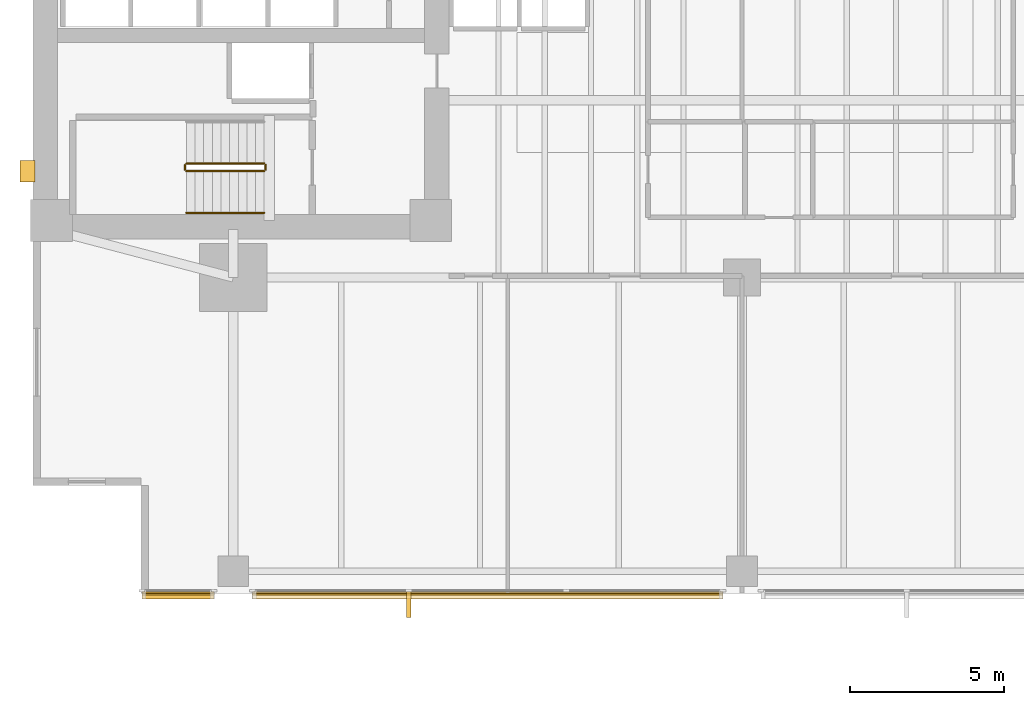
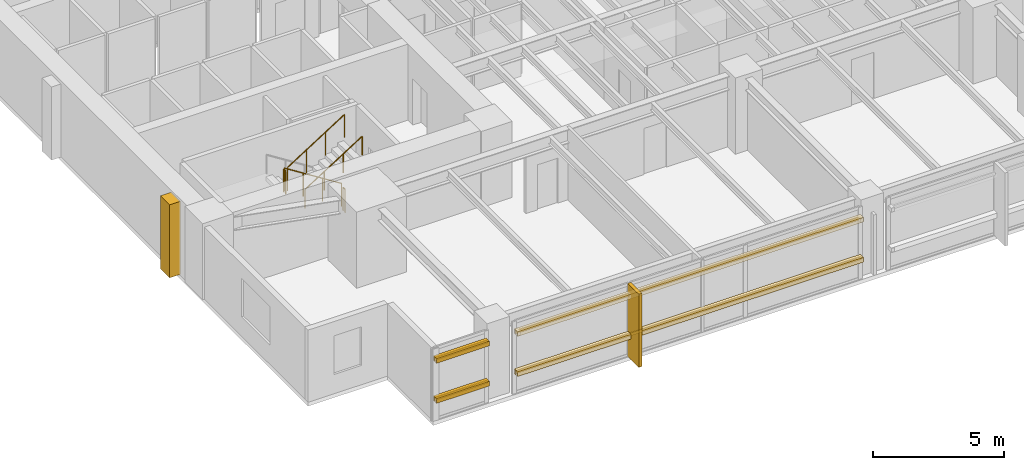
# One storey, part 12 of 15: 6 coverings, 5 railings, 4 shading devices.
"""IFC4 building model written with IfcOpenShell, lengths in metres."""

from ifc_helpers import new_model, si_unit, direction, frame, origin, origin_2d, place, context, subcontext, project, spatial, polyline, rectangle, circle, outline, extrude, material, layer, layer_set, material_profile, profile_set, type_object, element, save


model = new_model("IFC4")

# Units and contexts
model_context = context("Model", 3, precision=1e-05, world=origin(), true_north=direction((0.0, 1.0)))
body_context = subcontext(model_context, "Body", "Model", "MODEL_VIEW")
ifc_project = project(units=[si_unit("LENGTHUNIT", "METRE"), si_unit("AREAUNIT", "SQUARE_METRE"), si_unit("VOLUMEUNIT", "CUBIC_METRE"), si_unit("PLANEANGLEUNIT", "RADIAN"), si_unit("MASSUNIT", "GRAM", prefix="KILO")], contexts=[model_context])

# Site, building, storey
site_placement = place(None, origin())
site = spatial("IfcSite", under=ifc_project, at=site_placement, CompositionType="ELEMENT")
building_placement = place(site_placement, origin())
building = spatial("IfcBuilding", under=site, at=building_placement, Name="Kinhvarn Gate Tower", CompositionType="ELEMENT")
storey_placement = place(building_placement, frame((0.0, 0.0, 32.699951171875)))
storey = spatial("IfcBuildingStorey", under=building, at=storey_placement, Name="L07", CompositionType="ELEMENT", Elevation=32.699951171875)

# Coverings
ifc_material_1 = material(Name="Fired architectural terracotta", Category="masonry")
ifc_layer_1 = layer(ifc_material_1, 0.239990234375)
ifc_layer_set_1 = layer_set([ifc_layer_1], Name="Fired architectural terracotta")
covering_type_1 = type_object("IfcCoveringType", Name="COV-BAG-220", PredefinedType="CLADDING", material=ifc_layer_set_1)
covering_1_placement = place(storey_placement, frame((0.0, 0.0, 0.93994140625)))
element("IfcCovering", 1, at=covering_1_placement, inside=storey, type_object=covering_type_1, Name="Terracotta Horizontal Sunscreen Band TBG-220 (L07)", PredefinedType="CLADDING", context=body_context, shape_type="SweptSolid", body=[
    extrude(outline(polyline([(8.0400390625, 2.56005859375), (10.3798828125, 2.56005859375), (10.3798828125, 2.320068359375), (8.0400390625, 2.320068359375), (8.0400390625, 2.56005859375)])), origin(), (0.0, 0.0, 1.0), 0.22021484375),
])
covering_2_placement = place(storey_placement, frame((0.0, 0.0, 2.81005859375)))
element("IfcCovering", 2, at=covering_2_placement, inside=storey, type_object=covering_type_1, Name="Terracotta Horizontal Sunscreen Band TBG-220 (L07)", PredefinedType="CLADDING", context=body_context, shape_type="SweptSolid", body=[
    extrude(outline(polyline([(8.0400390625, 2.56005859375), (10.3798828125, 2.56005859375), (10.3798828125, 2.320068359375), (8.0400390625, 2.320068359375), (8.0400390625, 2.56005859375)])), origin(), (0.0, 0.0, 1.0), 0.219970703125),
])
covering_3_placement = place(storey_placement, frame((0.0, 0.0, 0.93994140625)))
element("IfcCovering", 3, at=covering_3_placement, inside=storey, type_object=covering_type_1, Name="Terracotta Horizontal Sunscreen Band TBG-220 (L07)", PredefinedType="CLADDING", context=body_context, shape_type="SweptSolid", body=[
    extrude(outline(polyline([(11.6201171875, 2.56005859375), (26.8798828125, 2.56005859375), (26.8798828125, 2.320068359375), (11.6201171875, 2.320068359375), (11.6201171875, 2.56005859375)])), origin(), (0.0, 0.0, 1.0), 0.22021484375),
])
covering_4_placement = place(storey_placement, frame((0.0, 0.0, 2.81005859375)))
element("IfcCovering", 4, at=covering_4_placement, inside=storey, type_object=covering_type_1, Name="Terracotta Horizontal Sunscreen Band TBG-220 (L07)", PredefinedType="CLADDING", context=body_context, shape_type="SweptSolid", body=[
    extrude(outline(polyline([(11.6201171875, 2.56005859375), (26.8798828125, 2.56005859375), (26.8798828125, 2.320068359375), (11.6201171875, 2.320068359375), (11.6201171875, 2.56005859375)])), origin(), (0.0, 0.0, 1.0), 0.219970703125),
])
ifc_layer_2 = layer(ifc_material_1, 0.139892578125)
ifc_layer_set_2 = layer_set([ifc_layer_2], Name="Fired architectural terracotta")
covering_type_2 = type_object("IfcCoveringType", Name="COV-FIN-850", PredefinedType="CLADDING", material=ifc_layer_set_2)
covering_5_placement = place(storey_placement, frame((0.0, 0.0, -0.02001953125)))
element("IfcCovering", 5, at=covering_5_placement, inside=storey, type_object=covering_type_2, Name="Vertical Terracotta Expressive Fin TFN-850 (L07)", PredefinedType="CLADDING", context=body_context, shape_type="SweptSolid", body=[
    extrude(outline(polyline([(16.623291015625, 2.570068359375), (16.76318359375, 2.570068359375), (16.76318359375, 1.719970703125), (16.623291015625, 1.719970703125), (16.623291015625, 2.570068359375)])), origin(), (0.0, 0.0, 1.0), 3.41015625),
])
ifc_material_2 = material(Name="Precast white architectural concrete C40/50", Category="concrete")
ifc_layer_3 = layer(ifc_material_2, 0.47998046875)
ifc_layer_set_3 = layer_set([ifc_layer_3], Name="Precast white architectural concrete C40/50")
covering_type_3 = type_object("IfcCoveringType", Name="COV-RIB-450", PredefinedType="CLADDING", material=ifc_layer_set_3)
covering_6_placement = place(storey_placement, frame((0.0, 0.0, -0.02001953125)))
element("IfcCovering", 6, at=covering_6_placement, inside=storey, type_object=covering_type_3, Name="West Core Sculptural Concrete Relief Rib CRB-450 (L07)", PredefinedType="CLADDING", context=body_context, shape_type="SweptSolid", body=[
    extrude(outline(polyline([(4.080078125, 15.85009765625), (4.56005859375, 15.85009765625), (4.56005859375, 16.550048828125), (4.080078125, 16.550048828125), (4.080078125, 15.85009765625)])), origin(), (0.0, 0.0, 1.0), 3.41015625),
])

# Railings
ifc_material_3 = material(Name="Steel S355", Category="steel")
railing_type_1 = type_object("IfcRailingType", Name="RL-ST-GRD", PredefinedType="BALUSTRADE", material=ifc_material_3)
railing_1_placement = place(storey_placement, frame((12.0, 16.449951171875, 0.177490234375)))
element("IfcRailing", 7, at=railing_1_placement, inside=storey, type_object=railing_type_1, Name="L07 ST1 stair guard 1", PredefinedType="BALUSTRADE", context=body_context, shape_type="SweptSolid", body=[
    extrude(circle(Radius=0.02392578125, at=origin_2d()), frame((0.0, 0.0, 1.076171875), z_axis=(-0.84456994832, 0.0, 0.535445237532), x_axis=(0.0, -1.0, 0.0)), (0.0, 0.0, 1.0), 2.98388671875),
    extrude(circle(Radius=0.02099609375, at=origin_2d()), origin(), (0.0, 0.0, 1.0), 1.052001953125),
    extrude(circle(Radius=0.02099609375, at=origin_2d()), frame((-0.840087890625, 0.0, 0.532470703125)), (0.0, 0.0, 1.0), 1.052001953125),
    extrude(circle(Radius=0.02099609375, at=origin_2d()), frame((-1.679931640625, 0.0, 1.065185546875)), (0.0, 0.0, 1.0), 1.052001953125),
    extrude(circle(Radius=0.02099609375, at=origin_2d()), frame((-2.52001953125, 0.0, 1.59765625)), (0.0, 0.0, 1.0), 1.052001953125),
])
railing_2_placement = place(storey_placement, frame((9.429931640625, 16.39990234375, 1.775146484375)))
element("IfcRailing", 8, at=railing_2_placement, inside=storey, type_object=railing_type_1, Name="L07 ST1 stair guard 2", PredefinedType="BALUSTRADE", context=body_context, shape_type="SweptSolid", body=[
    extrude(circle(Radius=0.02392578125, at=origin_2d()), frame((0.0, 0.0, 1.076171875), z_axis=(0.0, -1.0, 0.0), x_axis=(1.0, 0.0, 0.0)), (0.0, 0.0, 1.0), 0.14990234375),
    extrude(circle(Radius=0.02099609375, at=origin_2d()), origin(), (0.0, 0.0, 1.0), 1.052001953125),
    extrude(circle(Radius=0.02099609375, at=origin_2d()), frame((0.0, -0.14990234375, 0.0)), (0.0, 0.0, 1.0), 1.052001953125),
])
railing_3_placement = place(storey_placement, frame((9.47998046875, 16.199951171875, 1.95263671875)))
element("IfcRailing", 9, at=railing_3_placement, inside=storey, type_object=railing_type_1, Name="L07 ST1 stair guard 3", PredefinedType="BALUSTRADE", context=body_context, shape_type="SweptSolid", body=[
    extrude(circle(Radius=0.02392578125, at=origin_2d()), frame((0.0, 0.0, 1.076171875), z_axis=(0.84460694969, 0.0, 0.535386869969), x_axis=(0.0, 1.0, 0.0)), (0.0, 0.0, 1.0), 2.983642578125),
    extrude(circle(Radius=0.02099609375, at=origin_2d()), origin(), (0.0, 0.0, 1.0), 1.052001953125),
    extrude(circle(Radius=0.02099609375, at=origin_2d()), frame((0.840087890625, 0.0, 0.532470703125)), (0.0, 0.0, 1.0), 1.052001953125),
    extrude(circle(Radius=0.02099609375, at=origin_2d()), frame((1.679931640625, 0.0, 1.06494140625)), (0.0, 0.0, 1.0), 1.052001953125),
    extrude(circle(Radius=0.02099609375, at=origin_2d()), frame((2.52001953125, 0.0, 1.597412109375)), (0.0, 0.0, 1.0), 1.052001953125),
])
railing_4_placement = place(storey_placement, frame((12.050048828125, 16.39990234375, 0.0)))
element("IfcRailing", 10, at=railing_4_placement, inside=storey, type_object=railing_type_1, Name="L07 ST1 stair guard 4", PredefinedType="BALUSTRADE", context=body_context, shape_type="SweptSolid", body=[
    extrude(circle(Radius=0.02392578125, at=origin_2d()), frame((0.0, 0.0, 1.076171875), z_axis=(0.0, -1.0, 0.0), x_axis=(1.0, 0.0, 0.0)), (0.0, 0.0, 1.0), 0.14990234375),
    extrude(circle(Radius=0.02099609375, at=origin_2d()), origin(), (0.0, 0.0, 1.0), 1.052001953125),
    extrude(circle(Radius=0.02099609375, at=origin_2d()), frame((0.0, -0.14990234375, 0.0)), (0.0, 0.0, 1.0), 1.052001953125),
])
railing_type_2 = type_object("IfcRailingType", Name="RL-ST-HND", PredefinedType="HANDRAIL", material=ifc_material_3)
railing_5_placement = place(storey_placement, frame((9.47998046875, 14.85009765625, 1.95263671875)))
element("IfcRailing", 11, at=railing_5_placement, inside=storey, type_object=railing_type_2, Name="L07 ST1 stair handrail 2", PredefinedType="HANDRAIL", context=body_context, shape_type="SweptSolid", body=[
    extrude(circle(Radius=0.02392578125, at=origin_2d()), frame((0.0, 0.0, 0.8759765625), z_axis=(0.84460694969, 0.0, 0.535386869969), x_axis=(0.0, 1.0, 0.0)), (0.0, 0.0, 1.0), 2.983642578125),
    extrude(circle(Radius=0.02099609375, at=origin_2d()), origin(), (0.0, 0.0, 1.0), 0.851806640625),
    extrude(circle(Radius=0.02099609375, at=origin_2d()), frame((0.840087890625, 0.0, 0.532470703125)), (0.0, 0.0, 1.0), 0.851806640625),
    extrude(circle(Radius=0.02099609375, at=origin_2d()), frame((1.679931640625, 0.0, 1.06494140625)), (0.0, 0.0, 1.0), 0.851806640625),
    extrude(circle(Radius=0.02099609375, at=origin_2d()), frame((2.52001953125, 0.0, 1.597412109375)), (0.0, 0.0, 1.0), 0.851806640625),
])

# Shading devices
ifc_material_profile = material_profile(ifc_material_1, rectangle(XDim=0.06005859375, YDim=0.139892578125, at=origin_2d()), Name="TC 60x140")
ifc_profile_set = profile_set([ifc_material_profile], Name="Fired architectural terracotta")
shading_device_type = type_object("IfcShadingDeviceType", Name="SHD-BAG-180", PredefinedType="USERDEFINED", material=ifc_profile_set)
for number, where, z_axis, x_axis, name in (
    (12, (8.0400390625, 2.485107421875, 1.050048828125), (1.0, 0.0, 0.0), (0.0, 1.0, 0.0), "Fired Terracotta Baguette Screen Rod 60x140 mm (L07)"),
    (13, (8.0400390625, 2.485107421875, 2.920166015625), (1.0, 0.0, 0.0), (0.0, 1.0, 0.0), "Fired Terracotta Baguette Screen Rod 60x140 mm (L07)"),
):
    element("IfcShadingDevice", number, at=place(storey_placement, frame(where, z_axis=z_axis, x_axis=x_axis)), inside=storey, type_object=shading_device_type, Name=name, ObjectType="BAGUETTE", PredefinedType="USERDEFINED", context=body_context, shape_type="SweptSolid", body=[
        extrude(rectangle(XDim=0.06005859375, YDim=0.139892578125, at=origin_2d()), origin(), (0.0, 0.0, 1.0), 2.33984375),
    ])
for number, where, z_axis, x_axis, name in (
    (14, (11.6201171875, 2.485107421875, 1.050048828125), (1.0, 0.0, 0.0), (0.0, 1.0, 0.0), "Fired Terracotta Baguette Screen Rod 60x140 mm (L07)"),
    (15, (11.6201171875, 2.485107421875, 2.920166015625), (1.0, 0.0, 0.0), (0.0, 1.0, 0.0), "Fired Terracotta Baguette Screen Rod 60x140 mm (L07)"),
):
    element("IfcShadingDevice", number, at=place(storey_placement, frame(where, z_axis=z_axis, x_axis=x_axis)), inside=storey, type_object=shading_device_type, Name=name, ObjectType="BAGUETTE", PredefinedType="USERDEFINED", context=body_context, shape_type="SweptSolid", body=[
        extrude(rectangle(XDim=0.06005859375, YDim=0.139892578125, at=origin_2d()), origin(), (0.0, 0.0, 1.0), 15.259765625),
    ])

save(model, "model.ifc")
